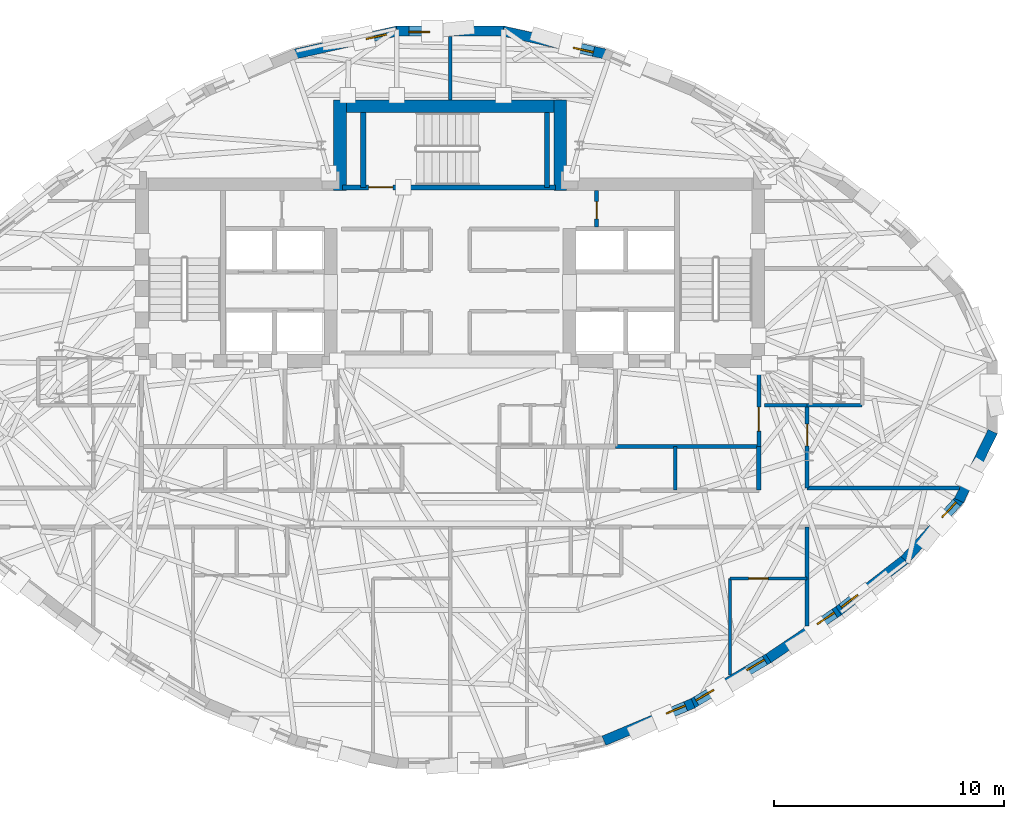
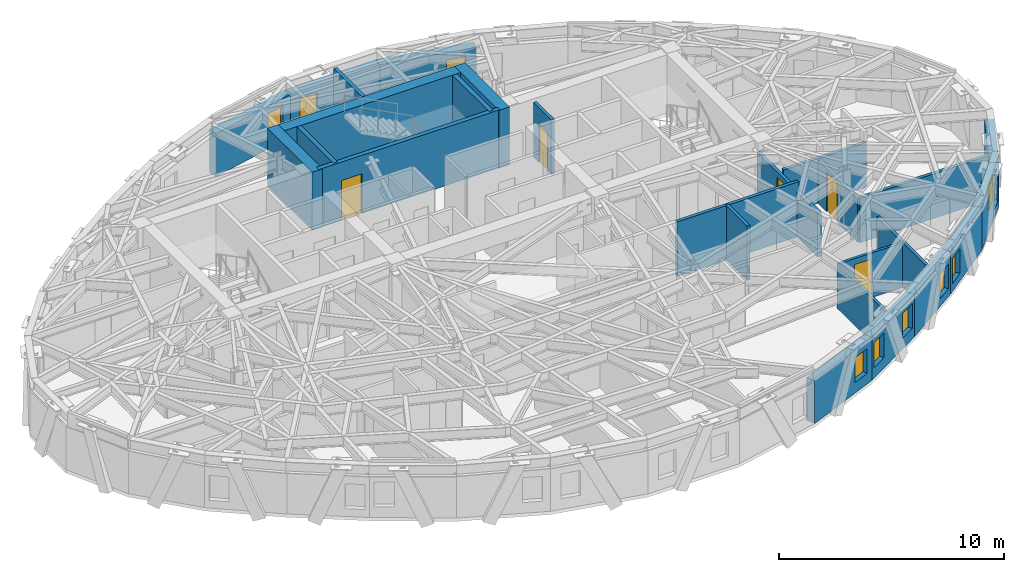
# One storey, part 9 of 13: 28 walls, 9 windows, 5 doors, 14 openings.
"""IFC4 building model written with IfcOpenShell, lengths in metres."""

from ifc_helpers import new_model, si_unit, direction, frame, frame_2d, origin, place, context, subcontext, project, spatial, rectangle, extrude, material, layer, layer_set, type_object, element, fill, save


model = new_model("IFC4")

# Units and contexts
model_context = context("Model", 3, precision=1e-05, world=origin(), true_north=direction((0.0, 1.0)))
body_context = subcontext(model_context, "Body", "Model", "MODEL_VIEW")
ifc_project = project(units=[si_unit("LENGTHUNIT", "METRE"), si_unit("AREAUNIT", "SQUARE_METRE"), si_unit("VOLUMEUNIT", "CUBIC_METRE"), si_unit("PLANEANGLEUNIT", "RADIAN"), si_unit("MASSUNIT", "GRAM", prefix="KILO")], contexts=[model_context])

# Site, building, storey
site_placement = place(None, origin())
site = spatial("IfcSite", under=ifc_project, at=site_placement, CompositionType="ELEMENT")
building_placement = place(site_placement, origin())
building = spatial("IfcBuilding", under=site, at=building_placement, Name="Keldmark Tower", CompositionType="ELEMENT")
storey_placement = place(building_placement, frame((0.0, 0.0, 210.0)))
storey = spatial("IfcBuildingStorey", under=building, at=storey_placement, Name="L58", CompositionType="ELEMENT", Elevation=210.0)

# Walls
ifc_material_1 = material(Name="Heavy Acoustic Plumbing Chase Gypsum Assembly", Category="gypsum")
ifc_layer_1 = layer(ifc_material_1, 0.18994140625)
ifc_layer_set_1 = layer_set([ifc_layer_1], Name="Heavy Acoustic Plumbing Chase Gypsum Assembly")
wall_type_1 = type_object("IfcWallType", Name="Heavy Wet Wall 190 mm", PredefinedType="PLUMBINGWALL", material=ifc_layer_set_1)
wall_1_placement = place(storey_placement, frame((13.449951171875, -4.050048828125, 0.0), z_axis=(0.0, 0.0, 1.0), x_axis=(0.0, 1.0, 0.0)))
element("IfcWall", 1, at=wall_1_placement, inside=storey, type_object=wall_type_1, Name="L58 Heavy Wet Wall 190 mm SPK-E-E", PredefinedType="PLUMBINGWALL", context=body_context, shape_type="SweptSolid", body=[
    extrude(rectangle(XDim=1.900146484375, YDim=0.18994140625, at=frame_2d((0.9501953125, 0.0))), origin(), (0.0, 0.0, 1.0), 2.423095703125),
])
ifc_material_2 = material(Name="Concrete C50/60", Category="concrete")
ifc_layer_2 = layer(ifc_material_2, 0.550048828125)
ifc_layer_set_2 = layer_set([ifc_layer_2], Name="Concrete C50/60")
wall_type_2 = type_object("IfcWallType", Name="High-Rise Core Shear Wall 550 mm", PredefinedType="SHEAR", material=ifc_layer_set_2)
wall_2_placement = place(storey_placement, frame((-5.074951171875, 12.675048828125, 0.0), z_axis=(0.0, 0.0, 1.0), x_axis=(1.0, 0.0, 0.0)))
element("IfcWall", 2, at=wall_2_placement, inside=storey, type_object=wall_type_2, Name="L58 North Core Shear Wall", PredefinedType="SHEAR", context=body_context, shape_type="SweptSolid", body=[
    extrude(rectangle(XDim=10.14990234375, YDim=0.550048828125, at=frame_2d((5.074951171875, 0.0))), origin(), (0.0, 0.0, 1.0), 3.14990234375),
])
for number, where, z_axis, x_axis, name in (
    (3, (-4.800048828125, 9.0, 0.0), (0.0, 0.0, 1.0), (0.0, 1.0, 0.0), "L58 North Core West Shear Wall"),
    (4, (4.800048828125, 9.0, 0.0), (0.0, 0.0, 1.0), (0.0, 1.0, 0.0), "L58 North Core East Shear Wall"),
):
    element("IfcWall", number, at=place(storey_placement, frame(where, z_axis=z_axis, x_axis=x_axis)), inside=storey, type_object=wall_type_2, Name=name, PredefinedType="SHEAR", context=body_context, shape_type="SweptSolid", body=[
        extrude(rectangle(XDim=3.949951171875, YDim=0.550048828125, at=frame_2d((1.97509765625, 0.0))), origin(), (0.0, 0.0, 1.0), 3.14990234375),
    ])
ifc_material_3 = material(Name="Acoustic Gypsum Board Interior Partition", Category="gypsum")
ifc_layer_3 = layer(ifc_material_3, 0.1298828125)
ifc_layer_set_3 = layer_set([ifc_layer_3], Name="Acoustic Gypsum Board Interior Partition")
wall_type_3 = type_object("IfcWallType", Name="Interior Partition 130 mm", PredefinedType="PARTITIONING", material=ifc_layer_set_3)
wall_3_placement = place(storey_placement, frame((12.199951171875, -12.10400390625, 0.0), z_axis=(0.0, 0.0, 1.0), x_axis=(0.0, 1.0, 0.0)))
element("IfcWall", 5, at=wall_3_placement, inside=storey, type_object=wall_type_3, Name="L58 Interior Partition 130 mm UB-BR2-W", PredefinedType="PARTITIONING", context=body_context, shape_type="SweptSolid", body=[
    extrude(rectangle(XDim=4.2041015625, YDim=0.1298828125, at=frame_2d((2.10205078125, 0.0))), origin(), (0.0, 0.0, 1.0), 2.423095703125),
])

# Wall, opening, door
wall_4_placement = place(storey_placement, frame((12.199951171875, -7.89990234375, 0.0), z_axis=(0.0, 0.0, 1.0), x_axis=(1.0, 0.0, 0.0)))
wall_4 = element("IfcWall", 6, at=wall_4_placement, inside=storey, type_object=wall_type_3, Name="L58 Interior Partition 130 mm UB-BR2-N", PredefinedType="PARTITIONING", context=body_context, shape_type="SweptSolid", body=[
    extrude(rectangle(XDim=3.35009765625, YDim=0.1298828125, at=frame_2d((1.675048828125, 0.0))), origin(), (0.0, 0.0, 1.0), 2.423095703125),
])
opening_1_placement = place(wall_4_placement, frame((0.800048828125, 0.0, 0.0)))
opening_1 = element("IfcOpeningElement", 7, at=opening_1_placement, cuts=wall_4, Name="Opening D-BR085", PredefinedType="OPENING", context=body_context, shape_type="SweptSolid", body=[
    extrude(rectangle(XDim=0.85009765625, YDim=2.10009765625, at=frame_2d((0.425048828125, 1.050048828125))), frame((0.0, 0.074951171875, 0.0), z_axis=(0.0, -1.0, 0.0), x_axis=(1.0, 0.0, 0.0)), (0.0, 0.0, 1.0), 0.14990234375),
])
ifc_material_4 = material(Name="Solid-Core Stained Walnut Wood", Category="wood")
door_type_1 = type_object("IfcDoorType", Name="Bedroom Door 850x2100", OperationType="NOTDEFINED", PredefinedType="DOOR", material=ifc_material_4)
door_1_placement = place(opening_1_placement, origin())
door_1 = element("IfcDoor", 8, at=door_1_placement, inside=storey, type_object=door_type_1, Name="L58 Bedroom Door 850x2100 D-UB-BR2-L58", OperationType="SINGLE_SWING_LEFT", OverallHeight=2.10009765625, OverallWidth=0.85009765625, PredefinedType="DOOR", context=body_context, shape_type="SweptSolid", body=[
    extrude(rectangle(XDim=0.85009765625, YDim=2.10009765625, at=frame_2d((0.425048828125, 1.050048828125))), frame((0.0, 0.02490234375, 0.0), z_axis=(0.0, -1.0, 0.0), x_axis=(1.0, 0.0, 0.0)), (0.0, 0.0, 1.0), 0.050048828125),
])
fill(opening_1, door_1)

# Wall
ifc_material_5 = material(Name="Type X Fire-Rated Gypsum Partition Assembly", Category="gypsum")
ifc_layer_4 = layer(ifc_material_5, 0.1650390625)
ifc_layer_set_4 = layer_set([ifc_layer_4], Name="Type X Fire-Rated Gypsum Partition Assembly")
wall_type_4 = type_object("IfcWallType", Name="Rated Partition 165 mm", PredefinedType="PARTITIONING", material=ifc_layer_set_4)
wall_5_placement = place(storey_placement, frame((7.199951171875, -2.14990234375, 0.0), z_axis=(0.0, 0.0, 1.0), x_axis=(1.0, 0.0, 0.0)))
element("IfcWall", 9, at=wall_5_placement, inside=storey, type_object=wall_type_4, Name="L58 Rated Partition 165 mm FSAE-E-S", PredefinedType="PARTITIONING", context=body_context, shape_type="SweptSolid", body=[
    extrude(rectangle(XDim=6.25, YDim=0.1650390625, at=frame_2d((3.125, 0.0))), origin(), (0.0, 0.0, 1.0), 2.969970703125),
])

# Wall, opening, door
wall_6_placement = place(storey_placement, frame((13.449951171875, -2.14990234375, 0.0), z_axis=(0.0, 0.0, 1.0), x_axis=(0.0, 1.0, 0.0)))
wall_6 = element("IfcWall", 10, at=wall_6_placement, inside=storey, type_object=wall_type_4, Name="L58 Rated Partition 165 mm FSAE-E-E", PredefinedType="PARTITIONING", context=body_context, shape_type="SweptSolid", body=[
    extrude(rectangle(XDim=3.5, YDim=0.1650390625, at=frame_2d((1.75, 0.0))), origin(), (0.0, 0.0, 1.0), 2.423095703125),
])
opening_2_placement = place(wall_6_placement, frame((0.669921875, 0.0, 0.0)))
opening_2 = element("IfcOpeningElement", 11, at=opening_2_placement, cuts=wall_6, Name="Opening D-FL105", PredefinedType="OPENING", context=body_context, shape_type="SweptSolid", body=[
    extrude(rectangle(XDim=1.050048828125, YDim=2.14990234375, at=frame_2d((0.52490234375, 1.074951171875))), frame((0.0, 0.092529296875, 0.0), z_axis=(0.0, -1.0, 0.0), x_axis=(1.0, 0.0, 0.0)), (0.0, 0.0, 1.0), 0.18505859375),
])
ifc_material_6 = material(Name="Fire-Rated Mineral-Core Door and Vision Lite", Category="metal")
door_type_2 = type_object("IfcDoorType", Name="Fire Lobby Door 1050x2150", OperationType="NOTDEFINED", PredefinedType="DOOR", material=ifc_material_6)
door_2_placement = place(opening_2_placement, origin())
door_2 = element("IfcDoor", 12, at=door_2_placement, inside=storey, type_object=door_type_2, Name="L58 Fire Lobby Door 1050x2150 D-FSAEE-OUT-L58", OperationType="SINGLE_SWING_RIGHT", OverallHeight=2.14990234375, OverallWidth=1.050048828125, PredefinedType="DOOR", context=body_context, shape_type="SweptSolid", body=[
    extrude(rectangle(XDim=1.050048828125, YDim=2.14990234375, at=frame_2d((0.52490234375, 1.074951171875))), frame((0.0, 0.02490234375, 0.0), z_axis=(0.0, -1.0, 0.0), x_axis=(1.0, 0.0, 0.0)), (0.0, 0.0, 1.0), 0.050048828125),
])
fill(opening_2, door_2)

wall_7_placement = place(storey_placement, frame((6.3798828125, 7.419921875, 0.0), z_axis=(0.0, 0.0, 1.0), x_axis=(0.0, 1.0, 0.0)))
wall_7 = element("IfcWall", 13, at=wall_7_placement, inside=storey, type_object=wall_type_4, Name="L58 Rated Partition 165 mm CS-NE-W", PredefinedType="PARTITIONING", context=body_context, shape_type="SweptSolid", body=[
    extrude(rectangle(XDim=1.580078125, YDim=0.1650390625, at=frame_2d((0.7900390625, 0.0))), origin(), (0.0, 0.0, 1.0), 2.969970703125),
])
opening_3_placement = place(wall_7_placement, frame((0.35009765625, 0.0, 0.0)))
opening_3 = element("IfcOpeningElement", 14, at=opening_3_placement, cuts=wall_7, Name="Opening D-RS075", PredefinedType="OPENING", context=body_context, shape_type="SweptSolid", body=[
    extrude(rectangle(XDim=0.75, YDim=2.10009765625, at=frame_2d((0.375, 1.050048828125))), frame((0.0, 0.092529296875, 0.0), z_axis=(0.0, -1.0, 0.0), x_axis=(1.0, 0.0, 0.0)), (0.0, 0.0, 1.0), 0.18505859375),
])
ifc_material_7 = material(Name="Galvanized Fire-Rated Access Leaf", Category="metal")
door_type_3 = type_object("IfcDoorType", Name="Riser Access Door 750x2100", OperationType="NOTDEFINED", PredefinedType="DOOR", material=ifc_material_7)
door_3_placement = place(opening_3_placement, origin())
door_3 = element("IfcDoor", 15, at=door_3_placement, inside=storey, type_object=door_type_3, Name="L58 Riser Access Door 750x2100 D-CSNE1-L58", OperationType="SINGLE_SWING_LEFT", OverallHeight=2.10009765625, OverallWidth=0.75, PredefinedType="DOOR", context=body_context, shape_type="SweptSolid", body=[
    extrude(rectangle(XDim=0.75, YDim=2.10009765625, at=frame_2d((0.375, 1.050048828125))), frame((0.0, 0.02490234375, 0.0), z_axis=(0.0, -1.0, 0.0), x_axis=(1.0, 0.0, 0.0)), (0.0, 0.0, 1.0), 0.050048828125),
])
fill(opening_3, door_3)

# Wall
wall_8_placement = place(storey_placement, frame((15.550048828125, -3.949951171875, 0.0), z_axis=(0.0, 0.0, 1.0), x_axis=(1.0, 0.0, 0.0)))
element("IfcWall", 16, at=wall_8_placement, inside=storey, type_object=wall_type_4, Name="L58 Rated Partition 165 mm RCOR-EN-OUT", PredefinedType="PARTITIONING", context=body_context, shape_type="SweptSolid", body=[
    extrude(rectangle(XDim=6.633056640625, YDim=0.1650390625, at=frame_2d((3.31640625, 0.0))), origin(), (0.0, 0.0, 1.0), 2.423095703125),
])

# Wall, opening, door
wall_9_placement = place(storey_placement, frame((15.550048828125, -3.949951171875, 0.0), z_axis=(0.0, 0.0, 1.0), x_axis=(0.0, 1.0, 0.0)))
wall_9 = element("IfcWall", 17, at=wall_9_placement, inside=storey, type_object=wall_type_4, Name="L58 Rated Partition 165 mm RCOR-VE", PredefinedType="PARTITIONING", context=body_context, shape_type="SweptSolid", body=[
    extrude(rectangle(XDim=3.599853515625, YDim=0.1650390625, at=frame_2d((1.7998046875, 0.0))), origin(), (0.0, 0.0, 1.0), 2.35693359375),
])
opening_4_placement = place(wall_9_placement, frame((1.830078125, 0.0, 0.0)))
opening_4 = element("IfcOpeningElement", 18, at=opening_4_placement, cuts=wall_9, Name="Opening D-AP095", PredefinedType="OPENING", context=body_context, shape_type="SweptSolid", body=[
    extrude(rectangle(XDim=0.949951171875, YDim=2.14990234375, at=frame_2d((0.47509765625, 1.074951171875))), frame((0.0, 0.092529296875, 0.0), z_axis=(0.0, -1.0, 0.0), x_axis=(1.0, 0.0, 0.0)), (0.0, 0.0, 1.0), 0.18505859375),
])
ifc_material_8 = material(Name="Solid-Core Walnut Fire-Rated Entry Assembly", Category="wood")
door_type_4 = type_object("IfcDoorType", Name="Apartment Entry Door 950x2150", OperationType="NOTDEFINED", PredefinedType="DOOR", material=ifc_material_8)
door_4_placement = place(opening_4_placement, origin())
door_4 = element("IfcDoor", 19, at=door_4_placement, inside=storey, type_object=door_type_4, Name="L58 Apartment Entry Door 950x2150 D-UD-ENT-L58", OperationType="SINGLE_SWING_RIGHT", OverallHeight=2.14990234375, OverallWidth=0.949951171875, PredefinedType="DOOR", context=body_context, shape_type="SweptSolid", body=[
    extrude(rectangle(XDim=0.949951171875, YDim=2.14990234375, at=frame_2d((0.47509765625, 1.074951171875))), frame((0.0, 0.02490234375, 0.0), z_axis=(0.0, -1.0, 0.0), x_axis=(1.0, 0.0, 0.0)), (0.0, 0.0, 1.0), 0.050048828125),
])
fill(opening_4, door_4)

# Walls
wall_10_placement = place(storey_placement, frame((13.699951171875, -0.35009765625, 0.0), z_axis=(0.0, 0.0, 1.0), x_axis=(1.0, 0.0, 0.0)))
element("IfcWall", 20, at=wall_10_placement, inside=storey, type_object=wall_type_4, Name="L58 Rated Partition 165 mm RCOR-VEN", PredefinedType="PARTITIONING", context=body_context, shape_type="SweptSolid", body=[
    extrude(rectangle(XDim=1.85009765625, YDim=0.1650390625, at=frame_2d((0.925048828125, 0.0))), origin(), (0.0, 0.0, 1.0), 2.423095703125),
])
wall_11_placement = place(storey_placement, frame((0.0, 12.949951171875, 0.0), z_axis=(0.0, 0.0, 1.0), x_axis=(0.0, 1.0, 0.0)))
element("IfcWall", 21, at=wall_11_placement, inside=storey, type_object=wall_type_4, Name="L58 Rated Partition 165 mm RN-DIV", PredefinedType="PARTITIONING", context=body_context, shape_type="SweptSolid", body=[
    extrude(rectangle(XDim=2.767822265625, YDim=0.1650390625, at=frame_2d((1.3837890625, 0.0))), origin(), (0.0, 0.0, 1.0), 2.969970703125),
])
wall_12_placement = place(storey_placement, frame((15.550048828125, -9.9609375, 0.0), z_axis=(0.0, 0.0, 1.0), x_axis=(0.0, 1.0, 0.0)))
element("IfcWall", 22, at=wall_12_placement, inside=storey, type_object=wall_type_4, Name="L58 Rated Partition 165 mm RS-ECAP", PredefinedType="PARTITIONING", context=body_context, shape_type="SweptSolid", body=[
    extrude(rectangle(XDim=4.31103515625, YDim=0.1650390625, at=frame_2d((2.155517578125, 0.0))), origin(), (0.0, 0.0, 1.0), 2.423095703125),
])

# Wall, opening, door
ifc_material_9 = material(Name="Concrete C50/60", Category="concrete")
ifc_layer_5 = layer(ifc_material_9, 0.219970703125)
ifc_layer_set_5 = layer_set([ifc_layer_5], Name="Concrete C50/60")
wall_type_5 = type_object("IfcWallType", Name="Stair Core Shear Wall 220 mm", PredefinedType="SHEAR", material=ifc_layer_set_5)
wall_13_placement = place(storey_placement, frame((-4.699951171875, 9.139892578125, 0.0), z_axis=(0.0, 0.0, 1.0), x_axis=(1.0, 0.0, 0.0)))
wall_13 = element("IfcWall", 23, at=wall_13_placement, inside=storey, type_object=wall_type_5, Name="L58 Central Stair Core South Shear Wall", PredefinedType="SHEAR", context=body_context, shape_type="SweptSolid", body=[
    extrude(rectangle(XDim=9.300048828125, YDim=0.219970703125, at=frame_2d((4.64990234375, 0.0))), origin(), (0.0, 0.0, 1.0), 3.14990234375),
])
opening_5_placement = place(wall_13_placement, frame((1.14990234375, 0.0, 0.0)))
opening_5 = element("IfcOpeningElement", 24, at=opening_5_placement, cuts=wall_13, Name="Opening D-ST105", PredefinedType="OPENING", context=body_context, shape_type="SweptSolid", body=[
    extrude(rectangle(XDim=1.050048828125, YDim=2.14990234375, at=frame_2d((0.52490234375, 1.074951171875))), frame((0.0, 0.119873046875, 0.0), z_axis=(0.0, -1.0, 0.0), x_axis=(1.0, 0.0, 0.0)), (0.0, 0.0, 1.0), 0.239990234375),
])
ifc_material_10 = material(Name="Hollow Metal Fire-Rated Door Assembly", Category="metal")
door_type_5 = type_object("IfcDoorType", Name="Stair Fire Door 1050x2150", OperationType="NOTDEFINED", PredefinedType="DOOR", material=ifc_material_10)
door_5_placement = place(opening_5_placement, origin())
door_5 = element("IfcDoor", 25, at=door_5_placement, inside=storey, type_object=door_type_5, Name="L58 Stair Fire Door 1050x2150 D-ST3-L58", OperationType="SINGLE_SWING_LEFT", OverallHeight=2.14990234375, OverallWidth=1.050048828125, PredefinedType="DOOR", context=body_context, shape_type="SweptSolid", body=[
    extrude(rectangle(XDim=1.050048828125, YDim=2.14990234375, at=frame_2d((0.52490234375, 1.074951171875))), frame((0.0, 0.02490234375, 0.0), z_axis=(0.0, -1.0, 0.0), x_axis=(1.0, 0.0, 0.0)), (0.0, 0.0, 1.0), 0.050048828125),
])
fill(opening_5, door_5)

# Walls
for number, where, z_axis, x_axis, name in (
    (26, (-3.784912109375, 9.139892578125, 0.0), (0.0, 0.0, 1.0), (0.0, 1.0, 0.0), "L58 Central Stair Core West Shear Wall"),
    (27, (4.215087890625, 9.139892578125, 0.0), (0.0, 0.0, 1.0), (0.0, 1.0, 0.0), "L58 Central Stair Core East Shear Wall"),
):
    element("IfcWall", number, at=place(storey_placement, frame(where, z_axis=z_axis, x_axis=x_axis)), inside=storey, type_object=wall_type_5, Name=name, PredefinedType="SHEAR", context=body_context, shape_type="SweptSolid", body=[
        extrude(rectangle(XDim=3.260009765625, YDim=0.219970703125, at=frame_2d((1.6298828125, 0.0))), origin(), (0.0, 0.0, 1.0), 3.14990234375),
    ])

# Wall, opening, window
ifc_material_11 = material(Name="Ironspot Manganese Brick and Kasota Buff Limestone Spandrel Assembly", Category="masonry")
ifc_layer_6 = layer(ifc_material_11, 0.43994140625)
ifc_layer_set_6 = layer_set([ifc_layer_6], Name="Ironspot Manganese Brick and Kasota Buff Limestone Spandrel Assembly")
wall_type_6 = type_object("IfcWallType", Name="Tower Brick Pier and Spandrel Wall 440 mm", PredefinedType="STANDARD", material=ifc_layer_set_6)
wall_14_placement = place(storey_placement, frame((2.299072265625, 15.951171875, 0.0), z_axis=(0.0, 0.0, 1.0), x_axis=(0.97564079092, -0.219374217021, 0.0)))
wall_14 = element("IfcWall", 28, at=wall_14_placement, inside=storey, type_object=wall_type_6, Name="L58 Exterior Brick and Spandrel Wall 07", PredefinedType="STANDARD", context=body_context, shape_type="SweptSolid", body=[
    extrude(rectangle(XDim=4.54736328125, YDim=0.43994140625, at=frame_2d((2.273681640625, 0.0))), origin(), (0.0, 0.0, 1.0), 2.3359375),
])
opening_6_placement = place(wall_14_placement, frame((3.1474609375, 0.0, 0.580078125)))
opening_6 = element("IfcOpeningElement", 29, at=opening_6_placement, cuts=wall_14, Name="Opening W-09", PredefinedType="OPENING", context=body_context, shape_type="SweptSolid", body=[
    extrude(rectangle(XDim=0.89990234375, YDim=1.35009765625, at=frame_2d((0.449951171875, 0.675048828125))), frame((0.0, 0.22998046875, 0.0), z_axis=(0.0, -1.0, 0.0), x_axis=(1.0, 0.0, 0.0)), (0.0, 0.0, 1.0), 0.4599609375),
])
ifc_material_12 = material(Name="Thermally Broken Anodized Aluminum and Triple Low-E Argon Glazing", Category="aluminium")
window_type = type_object("IfcWindowType", Name="Corner Pier Deep-Set Window 900x1350", PartitioningType="SINGLE_PANEL", PredefinedType="WINDOW", material=ifc_material_12)
window_1_placement = place(opening_6_placement, origin())
window_1 = element("IfcWindow", 30, at=window_1_placement, inside=storey, type_object=window_type, Name="L58 Deep-Set Window 07", OverallHeight=1.35009765625, OverallWidth=0.89990234375, PartitioningType="SINGLE_PANEL", PredefinedType="WINDOW", context=body_context, shape_type="SweptSolid", body=[
    extrude(rectangle(XDim=0.89990234375, YDim=1.35009765625, at=frame_2d((0.449951171875, 0.675048828125))), frame((0.0, -0.010009765625, 0.0), z_axis=(0.0, -1.0, 0.0), x_axis=(1.0, 0.0, 0.0)), (0.0, 0.0, 1.0), 0.06005859375),
])
fill(opening_6, window_1)

wall_15_placement = place(storey_placement, frame((-2.347412109375, 15.94580078125, 0.0), z_axis=(0.0, 0.0, 1.0), x_axis=(1.0, 0.0, 0.0)))
wall_15 = element("IfcWall", 31, at=wall_15_placement, inside=storey, type_object=wall_type_6, Name="L58 Exterior Brick and Spandrel Wall 08", PredefinedType="STANDARD", context=body_context, shape_type="SweptSolid", body=[
    extrude(rectangle(XDim=4.69482421875, YDim=0.43994140625, at=frame_2d((2.347412109375, 0.0))), origin(), (0.0, 0.0, 1.0), 2.3359375),
])
opening_7_placement = place(wall_15_placement, frame((0.549560546875, 0.0, 0.580078125)))
opening_7 = element("IfcOpeningElement", 32, at=opening_7_placement, cuts=wall_15, Name="Opening W-09", PredefinedType="OPENING", context=body_context, shape_type="SweptSolid", body=[
    extrude(rectangle(XDim=0.89990234375, YDim=1.35009765625, at=frame_2d((0.449951171875, 0.675048828125))), frame((0.0, 0.22998046875, 0.0), z_axis=(0.0, -1.0, 0.0), x_axis=(1.0, 0.0, 0.0)), (0.0, 0.0, 1.0), 0.4599609375),
])
window_2_placement = place(opening_7_placement, origin())
window_2 = element("IfcWindow", 33, at=window_2_placement, inside=storey, type_object=window_type, Name="L58 Deep-Set Window 08", OverallHeight=1.35009765625, OverallWidth=0.89990234375, PartitioningType="SINGLE_PANEL", PredefinedType="WINDOW", context=body_context, shape_type="SweptSolid", body=[
    extrude(rectangle(XDim=0.89990234375, YDim=1.35009765625, at=frame_2d((0.449951171875, 0.675048828125))), frame((0.0, -0.010009765625, 0.0), z_axis=(0.0, -1.0, 0.0), x_axis=(1.0, 0.0, 0.0)), (0.0, 0.0, 1.0), 0.06005859375),
])
fill(opening_7, window_2)

wall_16_placement = place(storey_placement, frame((-6.735595703125, 14.95361328125, 0.0), z_axis=(0.0, 0.0, 1.0), x_axis=(0.97564079092, 0.219374217021, 0.0)))
wall_16 = element("IfcWall", 34, at=wall_16_placement, inside=storey, type_object=wall_type_6, Name="L58 Exterior Brick and Spandrel Wall 09", PredefinedType="STANDARD", context=body_context, shape_type="SweptSolid", body=[
    extrude(rectangle(XDim=4.54736328125, YDim=0.43994140625, at=frame_2d((2.273681640625, 0.0))), origin(), (0.0, 0.0, 1.0), 2.3359375),
])
opening_8_placement = place(wall_16_placement, frame((3.1474609375, 0.0, 0.580078125)))
opening_8 = element("IfcOpeningElement", 35, at=opening_8_placement, cuts=wall_16, Name="Opening W-09", PredefinedType="OPENING", context=body_context, shape_type="SweptSolid", body=[
    extrude(rectangle(XDim=0.89990234375, YDim=1.35009765625, at=frame_2d((0.449951171875, 0.675048828125))), frame((0.0, 0.22998046875, 0.0), z_axis=(0.0, -1.0, 0.0), x_axis=(1.0, 0.0, 0.0)), (0.0, 0.0, 1.0), 0.4599609375),
])
window_3_placement = place(opening_8_placement, origin())
window_3 = element("IfcWindow", 36, at=window_3_placement, inside=storey, type_object=window_type, Name="L58 Deep-Set Window 09", OverallHeight=1.35009765625, OverallWidth=0.89990234375, PartitioningType="SINGLE_PANEL", PredefinedType="WINDOW", context=body_context, shape_type="SweptSolid", body=[
    extrude(rectangle(XDim=0.89990234375, YDim=1.35009765625, at=frame_2d((0.449951171875, 0.675048828125))), frame((0.0, -0.010009765625, 0.0), z_axis=(0.0, -1.0, 0.0), x_axis=(1.0, 0.0, 0.0)), (0.0, 0.0, 1.0), 0.06005859375),
])
fill(opening_8, window_3)

wall_17_placement = place(storey_placement, frame((10.58251953125, -13.333984375, 0.0), z_axis=(0.0, 0.0, 1.0), x_axis=(-0.921948168537, -0.387313276988, 0.0)))
wall_17 = element("IfcWall", 37, at=wall_17_placement, inside=storey, type_object=wall_type_6, Name="L58 Exterior Brick and Spandrel Wall 26", PredefinedType="STANDARD", context=body_context, shape_type="SweptSolid", body=[
    extrude(rectangle(XDim=4.212646484375, YDim=0.43994140625, at=frame_2d((2.1064453125, 0.0))), origin(), (0.0, 0.0, 1.0), 2.3359375),
])
opening_9_placement = place(wall_17_placement, frame((0.34814453125, 0.0, 0.580078125)))
opening_9 = element("IfcOpeningElement", 38, at=opening_9_placement, cuts=wall_17, Name="Opening W-09", PredefinedType="OPENING", context=body_context, shape_type="SweptSolid", body=[
    extrude(rectangle(XDim=0.89990234375, YDim=1.35009765625, at=frame_2d((0.449951171875, 0.675048828125))), frame((0.0, 0.22998046875, 0.0), z_axis=(0.0, -1.0, 0.0), x_axis=(1.0, 0.0, 0.0)), (0.0, 0.0, 1.0), 0.4599609375),
])
window_4_placement = place(opening_9_placement, origin())
window_4 = element("IfcWindow", 39, at=window_4_placement, inside=storey, type_object=window_type, Name="L58 Deep-Set Window 26", OverallHeight=1.35009765625, OverallWidth=0.89990234375, PartitioningType="SINGLE_PANEL", PredefinedType="WINDOW", context=body_context, shape_type="SweptSolid", body=[
    extrude(rectangle(XDim=0.89990234375, YDim=1.35009765625, at=frame_2d((0.449951171875, 0.675048828125))), frame((0.0, -0.010009765625, 0.0), z_axis=(0.0, -1.0, 0.0), x_axis=(1.0, 0.0, 0.0)), (0.0, 0.0, 1.0), 0.06005859375),
])
fill(opening_9, window_4)

# Wall, openings, windows
wall_18_placement = place(storey_placement, frame((13.876220703125, -11.3720703125, 0.0), z_axis=(0.0, 0.0, 1.0), x_axis=(-0.859415840392, -0.511277237204, 0.0)))
wall_18 = element("IfcWall", 40, at=wall_18_placement, inside=storey, type_object=wall_type_6, Name="L58 Exterior Brick and Spandrel Wall 27", PredefinedType="STANDARD", context=body_context, shape_type="SweptSolid", body=[
    extrude(rectangle(XDim=3.864013671875, YDim=0.43994140625, at=frame_2d((1.93212890625, 0.0))), origin(), (0.0, 0.0, 1.0), 2.3359375),
])
opening_10_placement = place(wall_18_placement, frame((2.76416015625, 0.0, 0.580078125)))
opening_10 = element("IfcOpeningElement", 41, at=opening_10_placement, cuts=wall_18, Name="Opening W-09", PredefinedType="OPENING", context=body_context, shape_type="SweptSolid", body=[
    extrude(rectangle(XDim=0.89990234375, YDim=1.35009765625, at=frame_2d((0.449951171875, 0.675048828125))), frame((0.0, 0.22998046875, 0.0), z_axis=(0.0, -1.0, 0.0), x_axis=(1.0, 0.0, 0.0)), (0.0, 0.0, 1.0), 0.4599609375),
])
opening_11_placement = place(wall_18_placement, frame((0.189697265625, 0.0, 0.580078125)))
opening_11 = element("IfcOpeningElement", 42, at=opening_11_placement, cuts=wall_18, Name="Opening W-09", PredefinedType="OPENING", context=body_context, shape_type="SweptSolid", body=[
    extrude(rectangle(XDim=0.89990234375, YDim=1.35009765625, at=frame_2d((0.449951171875, 0.675048828125))), frame((0.0, 0.22998046875, 0.0), z_axis=(0.0, -1.0, 0.0), x_axis=(1.0, 0.0, 0.0)), (0.0, 0.0, 1.0), 0.4599609375),
])
window_5_placement = place(opening_10_placement, origin())
window_5 = element("IfcWindow", 43, at=window_5_placement, inside=storey, type_object=window_type, Name="L58 Deep-Set Window 27", OverallHeight=1.35009765625, OverallWidth=0.89990234375, PartitioningType="SINGLE_PANEL", PredefinedType="WINDOW", context=body_context, shape_type="SweptSolid", body=[
    extrude(rectangle(XDim=0.89990234375, YDim=1.35009765625, at=frame_2d((0.449951171875, 0.675048828125))), frame((0.0, -0.010009765625, 0.0), z_axis=(0.0, -1.0, 0.0), x_axis=(1.0, 0.0, 0.0)), (0.0, 0.0, 1.0), 0.06005859375),
])
fill(opening_10, window_5)
window_6_placement = place(opening_11_placement, origin())
window_6 = element("IfcWindow", 44, at=window_6_placement, inside=storey, type_object=window_type, Name="L58 Pier Window RM02", OverallHeight=1.35009765625, OverallWidth=0.89990234375, PartitioningType="SINGLE_PANEL", PredefinedType="WINDOW", context=body_context, shape_type="SweptSolid", body=[
    extrude(rectangle(XDim=0.89990234375, YDim=1.35009765625, at=frame_2d((0.449951171875, 0.675048828125))), frame((0.0, -0.010009765625, 0.0), z_axis=(0.0, -1.0, 0.0), x_axis=(1.0, 0.0, 0.0)), (0.0, 0.0, 1.0), 0.06005859375),
])
fill(opening_11, window_6)

# Wall, opening, window
wall_19_placement = place(storey_placement, frame((16.921875, -9.305908203125, 0.0), z_axis=(0.0, 0.0, 1.0), x_axis=(-0.827589832786, -0.561333295529, 0.0)))
wall_19 = element("IfcWall", 45, at=wall_19_placement, inside=storey, type_object=wall_type_6, Name="L58 Exterior Brick and Spandrel Wall 28", PredefinedType="STANDARD", context=body_context, shape_type="SweptSolid", body=[
    extrude(rectangle(XDim=3.693359375, YDim=0.43994140625, at=frame_2d((1.8466796875, 0.0))), origin(), (0.0, 0.0, 1.0), 2.3359375),
])
opening_12_placement = place(wall_19_placement, frame((0.199951171875, 0.0, 0.419921875)))
opening_12 = element("IfcOpeningElement", 46, at=opening_12_placement, cuts=wall_19, Name="Opening W-09", PredefinedType="OPENING", context=body_context, shape_type="SweptSolid", body=[
    extrude(rectangle(XDim=0.89990234375, YDim=1.35009765625, at=frame_2d((0.449951171875, 0.675048828125))), frame((0.0, 0.22998046875, 0.0), z_axis=(0.0, -1.0, 0.0), x_axis=(1.0, 0.0, 0.0)), (0.0, 0.0, 1.0), 0.4599609375),
])
window_7_placement = place(opening_12_placement, origin())
window_7 = element("IfcWindow", 47, at=window_7_placement, inside=storey, type_object=window_type, Name="L58 Deep-Set Window 28", OverallHeight=1.35009765625, OverallWidth=0.89990234375, PartitioningType="SINGLE_PANEL", PredefinedType="WINDOW", context=body_context, shape_type="SweptSolid", body=[
    extrude(rectangle(XDim=0.89990234375, YDim=1.35009765625, at=frame_2d((0.449951171875, 0.675048828125))), frame((0.0, -0.010009765625, 0.0), z_axis=(0.0, -1.0, 0.0), x_axis=(1.0, 0.0, 0.0)), (0.0, 0.0, 1.0), 0.06005859375),
])
fill(opening_12, window_7)

wall_20_placement = place(storey_placement, frame((19.823486328125, -7.0615234375, 0.0), z_axis=(0.0, 0.0, 1.0), x_axis=(-0.791016617957, -0.61179466336, 0.0)))
wall_20 = element("IfcWall", 48, at=wall_20_placement, inside=storey, type_object=wall_type_6, Name="L58 Exterior Brick and Spandrel Wall 29", PredefinedType="STANDARD", context=body_context, shape_type="SweptSolid", body=[
    extrude(rectangle(XDim=3.68212890625, YDim=0.43994140625, at=frame_2d((1.841064453125, 0.0))), origin(), (0.0, 0.0, 1.0), 2.3359375),
])
opening_13_placement = place(wall_20_placement, frame((2.58203125, 0.0, 0.419921875)))
opening_13 = element("IfcOpeningElement", 49, at=opening_13_placement, cuts=wall_20, Name="Opening W-09", PredefinedType="OPENING", context=body_context, shape_type="SweptSolid", body=[
    extrude(rectangle(XDim=0.89990234375, YDim=1.35009765625, at=frame_2d((0.449951171875, 0.675048828125))), frame((0.0, 0.22998046875, 0.0), z_axis=(0.0, -1.0, 0.0), x_axis=(1.0, 0.0, 0.0)), (0.0, 0.0, 1.0), 0.4599609375),
])
window_8_placement = place(opening_13_placement, origin())
window_8 = element("IfcWindow", 50, at=window_8_placement, inside=storey, type_object=window_type, Name="L58 Deep-Set Window 29", OverallHeight=1.35009765625, OverallWidth=0.89990234375, PartitioningType="SINGLE_PANEL", PredefinedType="WINDOW", context=body_context, shape_type="SweptSolid", body=[
    extrude(rectangle(XDim=0.89990234375, YDim=1.35009765625, at=frame_2d((0.449951171875, 0.675048828125))), frame((0.0, -0.010009765625, 0.0), z_axis=(0.0, -1.0, 0.0), x_axis=(1.0, 0.0, 0.0)), (0.0, 0.0, 1.0), 0.06005859375),
])
fill(opening_13, window_8)

wall_21_placement = place(storey_placement, frame((22.201171875, -4.452880859375, 0.0), z_axis=(0.0, 0.0, 1.0), x_axis=(-0.674353738675, -0.738408447362, 0.0)))
wall_21 = element("IfcWall", 51, at=wall_21_placement, inside=storey, type_object=wall_type_6, Name="L58 Exterior Brick and Spandrel Wall 30", PredefinedType="STANDARD", context=body_context, shape_type="SweptSolid", body=[
    extrude(rectangle(XDim=3.567626953125, YDim=0.43994140625, at=frame_2d((1.78369140625, 0.0))), origin(), (0.0, 0.0, 1.0), 2.3359375),
])
opening_14_placement = place(wall_21_placement, frame((0.199951171875, 0.0, 0.419921875)))
opening_14 = element("IfcOpeningElement", 52, at=opening_14_placement, cuts=wall_21, Name="Opening W-09", PredefinedType="OPENING", context=body_context, shape_type="SweptSolid", body=[
    extrude(rectangle(XDim=0.89990234375, YDim=1.35009765625, at=frame_2d((0.449951171875, 0.675048828125))), frame((0.0, 0.22998046875, 0.0), z_axis=(0.0, -1.0, 0.0), x_axis=(1.0, 0.0, 0.0)), (0.0, 0.0, 1.0), 0.4599609375),
])
window_9_placement = place(opening_14_placement, origin())
window_9 = element("IfcWindow", 53, at=window_9_placement, inside=storey, type_object=window_type, Name="L58 Deep-Set Window 30", OverallHeight=1.35009765625, OverallWidth=0.89990234375, PartitioningType="SINGLE_PANEL", PredefinedType="WINDOW", context=body_context, shape_type="SweptSolid", body=[
    extrude(rectangle(XDim=0.89990234375, YDim=1.35009765625, at=frame_2d((0.449951171875, 0.675048828125))), frame((0.0, -0.010009765625, 0.0), z_axis=(0.0, -1.0, 0.0), x_axis=(1.0, 0.0, 0.0)), (0.0, 0.0, 1.0), 0.06005859375),
])
fill(opening_14, window_9)

# Walls
wall_22_placement = place(storey_placement, frame((23.63623046875, -1.49560546875, 0.0), z_axis=(0.0, 0.0, 1.0), x_axis=(-0.439000922584, -0.898486610902, 0.0)))
element("IfcWall", 54, at=wall_22_placement, inside=storey, type_object=wall_type_6, Name="L58 Exterior Brick and Spandrel Wall 31", PredefinedType="STANDARD", context=body_context, shape_type="SweptSolid", body=[
    extrude(rectangle(XDim=3.34912109375, YDim=0.43994140625, at=frame_2d((1.674560546875, 0.0))), origin(), (0.0, 0.0, 1.0), 2.3359375),
])
ifc_material_13 = material(Name="Moisture-Resistant Gypsum Plumbing Partition", Category="gypsum")
ifc_layer_7 = layer(ifc_material_13, 0.14990234375)
ifc_layer_set_7 = layer_set([ifc_layer_7], Name="Moisture-Resistant Gypsum Plumbing Partition")
wall_type_7 = type_object("IfcWallType", Name="Wet Wall 150 mm", PredefinedType="PLUMBINGWALL", material=ifc_layer_set_7)
wall_23_placement = place(storey_placement, frame((9.800048828125, -4.050048828125, 0.0), z_axis=(0.0, 0.0, 1.0), x_axis=(0.0, 1.0, 0.0)))
element("IfcWall", 55, at=wall_23_placement, inside=storey, type_object=wall_type_7, Name="L58 Wet Wall 150 mm SPK-E-D2", PredefinedType="PLUMBINGWALL", context=body_context, shape_type="SweptSolid", body=[
    extrude(rectangle(XDim=1.900146484375, YDim=0.14990234375, at=frame_2d((0.9501953125, 0.0))), origin(), (0.0, 0.0, 1.0), 2.969970703125),
])
wall_24_placement = place(storey_placement, frame((15.550048828125, -0.35009765625, 0.0), z_axis=(0.0, 0.0, 1.0), x_axis=(1.0, 0.0, 0.0)))
element("IfcWall", 56, at=wall_24_placement, inside=storey, type_object=wall_type_7, Name="L58 Wet Wall 150 mm UD-BK-S", PredefinedType="PLUMBINGWALL", context=body_context, shape_type="SweptSolid", body=[
    extrude(rectangle(XDim=2.39990234375, YDim=0.14990234375, at=frame_2d((1.199951171875, 0.0))), origin(), (0.0, 0.0, 1.0), 2.423095703125),
])

save(model, "model.ifc")
